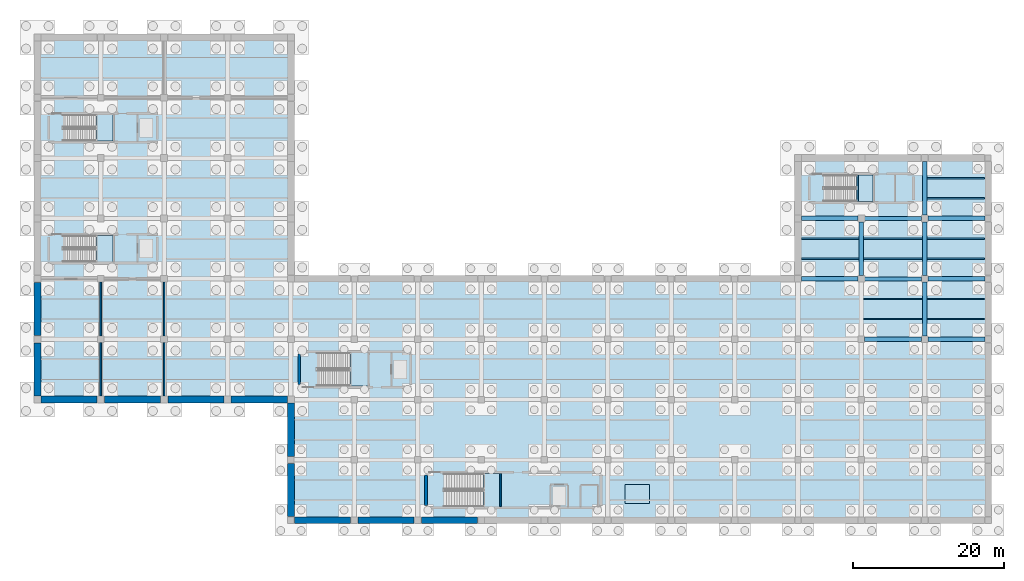
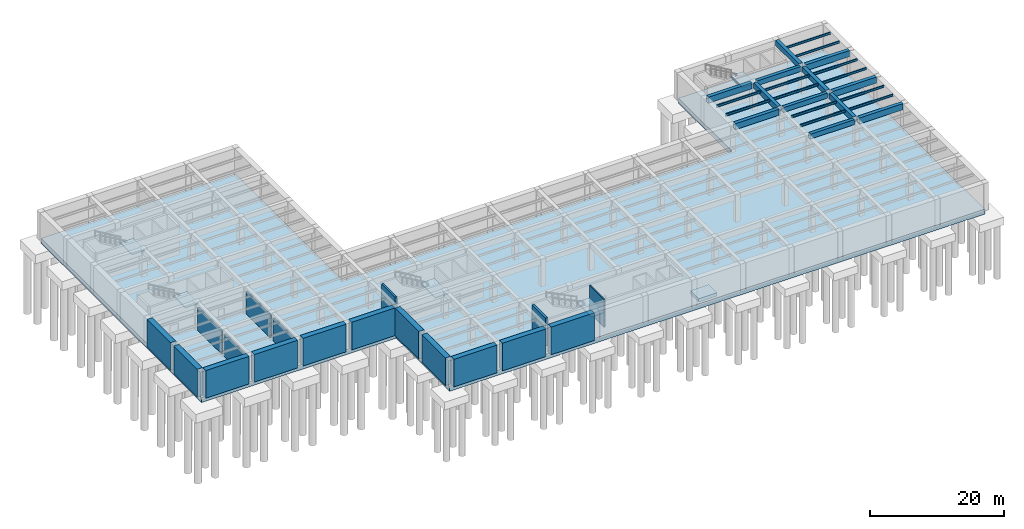
# One storey, part 5 of 12: 25 beams, 18 walls, 7 slabs, 5 elements without a shape of their own.
"""IFC4 building model written with IfcOpenShell, lengths in metres."""

from ifc_helpers import new_model, si_unit, direction, frame, frame_2d, origin, origin_2d, place, context, subcontext, project, spatial, polyline, rectangle, i_section, outline, extrude, material, layer, layer_set, material_profile, profile_set, type_object, element, aggregate, save


model = new_model("IFC4")

# Units and contexts
model_context = context("Model", 3, precision=1e-05, world=origin(), true_north=direction((0.0, 1.0)))
body_context = subcontext(model_context, "Body", "Model", "MODEL_VIEW")
ifc_project = project(units=[si_unit("LENGTHUNIT", "METRE"), si_unit("AREAUNIT", "SQUARE_METRE"), si_unit("VOLUMEUNIT", "CUBIC_METRE"), si_unit("PLANEANGLEUNIT", "RADIAN"), si_unit("MASSUNIT", "GRAM", prefix="KILO")], contexts=[model_context])

# Site, building, storey
site_placement = place(None, origin())
site = spatial("IfcSite", under=ifc_project, at=site_placement, CompositionType="ELEMENT")
building_placement = place(site_placement, origin())
building = spatial("IfcBuilding", under=site, at=building_placement, Name="Kranzveld Transit Interchange", CompositionType="ELEMENT")
storey_placement = place(building_placement, frame((0.0, 0.0, -10.8798828125)))
storey = spatial("IfcBuildingStorey", under=building, at=storey_placement, Name="B2", CompositionType="ELEMENT", Elevation=-10.8798828125)

# Beams
ifc_material_1 = material(Name="Steel S355JR", Category="steel")
ifc_material_profile_1 = material_profile(ifc_material_1, i_section(OverallWidth=0.1787109375, OverallDepth=0.409423828125, WebThickness=0.0087890625, FlangeThickness=0.014404296875, FilletRadius=0.01025390625, at=origin_2d()), Name="UB 406x178x67")
ifc_profile_set_1 = profile_set([ifc_material_profile_1], Name="Steel S355JR")
beam_type_1 = type_object("IfcBeamType", Name="Floor Joist UB 406x178x67 S355JR", PredefinedType="JOIST", material=ifc_profile_set_1)
for number, where, z_axis, x_axis, name in (
    (1, (101.251953125, 66.666748046875, 4.835205078125), (1.0, 0.0, 0.0), (0.0, 1.0, 0.0), "B2 Secondary Joist 13-14/J.1"),
    (2, (101.251953125, 69.333251953125, 4.835205078125), (1.0, 0.0, 0.0), (0.0, 1.0, 0.0), "B2 Secondary Joist 13-14/J.2"),
):
    element("IfcBeam", number, at=place(storey_placement, frame(where, z_axis=z_axis, x_axis=x_axis)), inside=storey, type_object=beam_type_1, Name=name, PredefinedType="JOIST", context=body_context, shape_type="SweptSolid", body=[
        extrude(i_section(OverallWidth=0.1787109375, OverallDepth=0.409423828125, WebThickness=0.0087890625, FlangeThickness=0.014404296875, FilletRadius=0.01025390625, at=origin_2d()), origin(), (0.0, 0.0, 1.0), 7.64599609375),
    ])
for number, where, z_axis, x_axis, name in (
    (3, (109.501953125, 58.666748046875, 4.835205078125), (1.0, 0.0, 0.0), (0.0, 1.0, 0.0), "B2 Secondary Joist 14-15/H.1"),
    (4, (109.501953125, 61.333251953125, 4.835205078125), (1.0, 0.0, 0.0), (0.0, 1.0, 0.0), "B2 Secondary Joist 14-15/H.2"),
    (5, (109.501953125, 66.666748046875, 4.835205078125), (1.0, 0.0, 0.0), (0.0, 1.0, 0.0), "B2 Secondary Joist 14-15/J.1"),
    (6, (109.501953125, 69.333251953125, 4.835205078125), (1.0, 0.0, 0.0), (0.0, 1.0, 0.0), "B2 Secondary Joist 14-15/J.2"),
):
    element("IfcBeam", number, at=place(storey_placement, frame(where, z_axis=z_axis, x_axis=x_axis)), inside=storey, type_object=beam_type_1, Name=name, PredefinedType="JOIST", context=body_context, shape_type="SweptSolid", body=[
        extrude(i_section(OverallWidth=0.1787109375, OverallDepth=0.409423828125, WebThickness=0.0087890625, FlangeThickness=0.014404296875, FilletRadius=0.01025390625, at=origin_2d()), origin(), (0.0, 0.0, 1.0), 7.796142578125),
    ])
for number, where, z_axis, x_axis, name in (
    (7, (117.902099609375, 58.666748046875, 4.835205078125), (1.0, 0.0, 0.0), (0.0, 1.0, 0.0), "B2 Secondary Joist 15-16/H.1"),
    (8, (117.902099609375, 61.333251953125, 4.835205078125), (1.0, 0.0, 0.0), (0.0, 1.0, 0.0), "B2 Secondary Joist 15-16/H.2"),
    (9, (117.902099609375, 66.666748046875, 4.835205078125), (1.0, 0.0, 0.0), (0.0, 1.0, 0.0), "B2 Secondary Joist 15-16/J.1"),
    (10, (117.902099609375, 69.333251953125, 4.835205078125), (1.0, 0.0, 0.0), (0.0, 1.0, 0.0), "B2 Secondary Joist 15-16/J.2"),
    (11, (117.902099609375, 74.666748046875, 4.835205078125), (1.0, 0.0, 0.0), (0.0, 1.0, 0.0), "B2 Secondary Joist 15-16/K.1"),
    (12, (117.902099609375, 77.333251953125, 4.835205078125), (1.0, 0.0, 0.0), (0.0, 1.0, 0.0), "B2 Secondary Joist 15-16/K.2"),
):
    element("IfcBeam", number, at=place(storey_placement, frame(where, z_axis=z_axis, x_axis=x_axis)), inside=storey, type_object=beam_type_1, Name=name, PredefinedType="JOIST", context=body_context, shape_type="SweptSolid", body=[
        extrude(i_section(OverallWidth=0.1787109375, OverallDepth=0.409423828125, WebThickness=0.0087890625, FlangeThickness=0.014404296875, FilletRadius=0.01025390625, at=origin_2d()), origin(), (0.0, 0.0, 1.0), 7.64599609375),
    ])
ifc_material_2 = material(Name="Concrete C40/50", Category="concrete")
ifc_material_profile_2 = material_profile(ifc_material_2, rectangle(XDim=0.550048828125, YDim=0.89990234375, at=origin_2d()), Name="RC 550x900")
ifc_profile_set_2 = profile_set([ifc_material_profile_2], Name="Concrete C40/50")
beam_type_2 = type_object("IfcBeamType", Name="Girder RC 550x900 C40/50", PredefinedType="BEAM", material=ifc_profile_set_2)
beam_1_placement = place(storey_placement, frame((109.614990234375, 56.0, 4.58984375), z_axis=(1.0, 0.0, 0.0), x_axis=(0.0, 1.0, 0.0)))
element("IfcBeam", 13, at=beam_1_placement, inside=storey, type_object=beam_type_2, Name="B2 Girder 14-15/H", PredefinedType="BEAM", context=body_context, shape_type="SweptSolid", body=[
    extrude(rectangle(XDim=0.550048828125, YDim=0.89990234375, at=origin_2d()), origin(), (0.0, 0.0, 1.0), 7.570068359375),
])
for number, where, z_axis, x_axis, name in (
    (14, (109.639892578125, 64.0, 4.58984375), (1.0, 0.0, 0.0), (0.0, 1.0, 0.0), "B2 Girder 14-15/J"),
    (15, (109.639892578125, 72.0, 4.58984375), (1.0, 0.0, 0.0), (0.0, 1.0, 0.0), "B2 Girder 14-15/K"),
):
    element("IfcBeam", number, at=place(storey_placement, frame(where, z_axis=z_axis, x_axis=x_axis)), inside=storey, type_object=beam_type_2, Name=name, PredefinedType="BEAM", context=body_context, shape_type="SweptSolid", body=[
        extrude(rectangle(XDim=0.550048828125, YDim=0.89990234375, at=origin_2d()), origin(), (0.0, 0.0, 1.0), 7.52001953125),
    ])
ifc_material_3 = material(Name="Concrete C40/50", Category="concrete")
ifc_material_profile_3 = material_profile(ifc_material_3, rectangle(XDim=0.60009765625, YDim=1.10009765625, at=origin_2d()), Name="RC 600x1100")
ifc_profile_set_3 = profile_set([ifc_material_profile_3], Name="Concrete C40/50")
beam_type_3 = type_object("IfcBeamType", Name="Girder RC 600x1100 C40/50", PredefinedType="BEAM", material=ifc_profile_set_3)
beam_2_placement = place(storey_placement, frame((118.014892578125, 56.0, 4.489990234375), z_axis=(1.0, 0.0, 0.0), x_axis=(0.0, 1.0, 0.0)))
element("IfcBeam", 16, at=beam_2_placement, inside=storey, type_object=beam_type_3, Name="B2 Girder 15-16/H", PredefinedType="BEAM", context=body_context, shape_type="SweptSolid", body=[
    extrude(rectangle(XDim=0.60009765625, YDim=1.10009765625, at=origin_2d()), origin(), (0.0, 0.0, 1.0), 7.570068359375),
])
beam_3_placement = place(storey_placement, frame((101.239990234375, 64.0, 4.489990234375), z_axis=(1.0, 0.0, 0.0), x_axis=(0.0, 1.0, 0.0)))
element("IfcBeam", 17, at=beam_3_placement, inside=storey, type_object=beam_type_3, Name="B2 Girder 13-14/J", PredefinedType="BEAM", context=body_context, shape_type="SweptSolid", body=[
    extrude(rectangle(XDim=0.60009765625, YDim=1.10009765625, at=origin_2d()), origin(), (0.0, 0.0, 1.0), 7.52001953125),
])
beam_4_placement = place(storey_placement, frame((118.0400390625, 64.0, 4.489990234375), z_axis=(1.0, 0.0, 0.0), x_axis=(0.0, 1.0, 0.0)))
element("IfcBeam", 18, at=beam_4_placement, inside=storey, type_object=beam_type_3, Name="B2 Girder 15-16/J", PredefinedType="BEAM", context=body_context, shape_type="SweptSolid", body=[
    extrude(rectangle(XDim=0.60009765625, YDim=1.10009765625, at=origin_2d()), origin(), (0.0, 0.0, 1.0), 7.570068359375),
])
beam_5_placement = place(storey_placement, frame((101.239990234375, 72.0, 4.489990234375), z_axis=(1.0, 0.0, 0.0), x_axis=(0.0, 1.0, 0.0)))
element("IfcBeam", 19, at=beam_5_placement, inside=storey, type_object=beam_type_3, Name="B2 Girder 13-14/K", PredefinedType="BEAM", context=body_context, shape_type="SweptSolid", body=[
    extrude(rectangle(XDim=0.60009765625, YDim=1.10009765625, at=origin_2d()), origin(), (0.0, 0.0, 1.0), 7.52001953125),
])
beam_6_placement = place(storey_placement, frame((118.0400390625, 72.0, 4.489990234375), z_axis=(1.0, 0.0, 0.0), x_axis=(0.0, 1.0, 0.0)))
element("IfcBeam", 20, at=beam_6_placement, inside=storey, type_object=beam_type_3, Name="B2 Girder 15-16/K", PredefinedType="BEAM", context=body_context, shape_type="SweptSolid", body=[
    extrude(rectangle(XDim=0.60009765625, YDim=1.10009765625, at=origin_2d()), origin(), (0.0, 0.0, 1.0), 7.570068359375),
])
ifc_material_4 = material(Name="Concrete C40/50", Category="concrete")
ifc_material_profile_4 = material_profile(ifc_material_4, rectangle(XDim=0.60009765625, YDim=0.949951171875, at=origin_2d()), Name="RC 600x950")
ifc_profile_set_4 = profile_set([ifc_material_profile_4], Name="Concrete C40/50")
beam_type_4 = type_object("IfcBeamType", Name="Girder RC 600x950 C40/50", PredefinedType="BEAM", material=ifc_profile_set_4)
beam_7_placement = place(storey_placement, frame((109.199951171875, 64.43994140625, 4.56494140625), z_axis=(0.0, 1.0, 0.0), x_axis=(-1.0, 0.0, 0.0)))
element("IfcBeam", 21, at=beam_7_placement, inside=storey, type_object=beam_type_4, Name="B2 Girder 14/J-K", PredefinedType="BEAM", context=body_context, shape_type="SweptSolid", body=[
    extrude(rectangle(XDim=0.60009765625, YDim=0.949951171875, at=origin_2d()), origin(), (0.0, 0.0, 1.0), 7.1201171875),
])
beam_8_placement = place(storey_placement, frame((117.60009765625, 56.4150390625, 4.56494140625), z_axis=(0.0, 1.0, 0.0), x_axis=(-1.0, 0.0, 0.0)))
element("IfcBeam", 22, at=beam_8_placement, inside=storey, type_object=beam_type_4, Name="B2 Girder 15/H-J", PredefinedType="BEAM", context=body_context, shape_type="SweptSolid", body=[
    extrude(rectangle(XDim=0.60009765625, YDim=0.949951171875, at=origin_2d()), origin(), (0.0, 0.0, 1.0), 7.14501953125),
])
for number, where, z_axis, x_axis, name in (
    (23, (117.60009765625, 64.43994140625, 4.56494140625), (0.0, 1.0, 0.0), (-1.0, 0.0, 0.0), "B2 Girder 15/J-K"),
    (24, (117.60009765625, 72.43994140625, 4.56494140625), (0.0, 1.0, 0.0), (-1.0, 0.0, 0.0), "B2 Girder 15/K-L"),
):
    element("IfcBeam", number, at=place(storey_placement, frame(where, z_axis=z_axis, x_axis=x_axis)), inside=storey, type_object=beam_type_4, Name=name, PredefinedType="BEAM", context=body_context, shape_type="SweptSolid", body=[
        extrude(rectangle(XDim=0.60009765625, YDim=0.949951171875, at=origin_2d()), origin(), (0.0, 0.0, 1.0), 7.1201171875),
    ])
ifc_material_5 = material(Name="Steel S355JR", Category="steel")
ifc_material_profile_5 = material_profile(ifc_material_5, i_section(OverallWidth=0.165771484375, OverallDepth=0.306640625, WebThickness=0.006591796875, FlangeThickness=0.01171875, FilletRadius=0.0087890625, at=origin_2d()), Name="UB 305x165x46")
ifc_profile_set_5 = profile_set([ifc_material_profile_5], Name="Steel S355JR")
beam_type_5 = type_object("IfcBeamType", Name="Roof Joist UB 305x165x46 S355JR", PredefinedType="JOIST", material=ifc_profile_set_5)
beam_9_placement = place(storey_placement, frame((108.7099609375, 74.22998046875, 2.36669921875), z_axis=(0.0, 1.0, 0.0), x_axis=(-1.0, 0.0, 0.0)))
element("IfcBeam", 25, at=beam_9_placement, inside=storey, type_object=beam_type_5, Name="B2 ST-V4A Half-Landing Support Beam", PredefinedType="BEAM", context=body_context, shape_type="SweptSolid", body=[
    extrude(i_section(OverallWidth=0.165771484375, OverallDepth=0.306640625, WebThickness=0.006591796875, FlangeThickness=0.01171875, FilletRadius=0.0087890625, at=origin_2d()), origin(), (0.0, 0.0, 1.0), 3.5400390625),
])

# Slabs
ifc_material_6 = material(Name="Concrete C40/50", Category="concrete")
ifc_layer_1 = layer(ifc_material_6, 0.60009765625)
ifc_layer_set_1 = layer_set([ifc_layer_1], Name="Concrete C40/50")
slab_type_1 = type_object("IfcSlabType", Name="Lift Pit Base Slab 600 C40/50", PredefinedType="BASESLAB", material=ifc_layer_set_1)
slab_1_placement = place(storey_placement, frame((0.0, 0.0, -1.5)))
element("IfcSlab", 26, at=slab_1_placement, inside=storey, type_object=slab_type_1, Name="B2 Pit Base Slab PIT-S3", PredefinedType="BASESLAB", context=body_context, shape_type="SweptSolid", body=[
    extrude(outline(polyline([(77.89990234375, 34.25), (81.10009765625, 34.25), (81.10009765625, 36.75), (77.89990234375, 36.75), (77.89990234375, 34.25)])), origin(), (0.0, 0.0, 1.0), 0.599853515625),
])
ifc_material_7 = material(Name="Concrete C40/50", Category="concrete")
ifc_layer_2 = layer(ifc_material_7, 0.89990234375)
ifc_layer_set_2 = layer_set([ifc_layer_2], Name="Concrete C40/50")
slab_type_2 = type_object("IfcSlabType", Name="Metro Base Raft 900 C40/50", PredefinedType="BASESLAB", material=ifc_layer_set_2)
slab_2_placement = place(storey_placement, frame((0.0, 0.0, -0.900146484375)))
element("IfcSlab", 27, at=slab_2_placement, inside=storey, type_object=slab_type_2, Name="B2 Metro Station Base Raft 1", PredefinedType="BASESLAB", context=body_context, shape_type="SweptSolid", body=[
    extrude(outline(polyline([(126.0, 32.0), (33.60009765625, 32.0), (33.60009765625, 48.0), (0.0, 48.0), (0.0, 96.0), (33.60009765625, 96.0), (33.60009765625, 64.0), (100.800048828125, 64.0), (100.800048828125, 80.0), (126.0, 80.0), (126.0, 64.0), (126.0, 32.0)])), origin(), (0.0, 0.0, 1.0), 0.900146484375),
])

# Stair, slab
ifc_material_8 = material(Name="Concrete C35/45", Category="concrete")
stair_type_1 = type_object("IfcStairType", Name="Dogleg Stair 1650W H5440 C35/45", PredefinedType="HALF_TURN_STAIR", material=ifc_material_8)
stair_1_placement = place(storey_placement, origin())
stair_1 = element("IfcStair", 28, at=stair_1_placement, inside=storey, type_object=stair_type_1, Name="B2 Operations Core C1", PredefinedType="HALF_TURN_STAIR")
ifc_material_9 = material(Name="Concrete C35/45", Category="concrete")
ifc_layer_3 = layer(ifc_material_9, 0.199951171875)
ifc_layer_set_3 = layer_set([ifc_layer_3], Name="Concrete C35/45")
slab_type_3 = type_object("IfcSlabType", Name="Stair & Ramp Landing 200 C35/45", PredefinedType="LANDING", material=ifc_layer_set_3)
slab_3_placement = place(storey_placement, frame((0.0, 0.0, 2.519775390625)))
slab_3 = element("IfcSlab", 29, at=slab_3_placement, type_object=slab_type_3, Name="ST-C1 landing 1", PredefinedType="LANDING", context=body_context, shape_type="SweptSolid", body=[
    extrude(outline(polyline([(7.75, 66.235107421875), (10.050048828125, 66.235107421875), (10.050048828125, 69.764892578125), (7.75, 69.764892578125), (7.75, 66.235107421875)])), origin(), (0.0, 0.0, 1.0), 0.2001953125),
])
aggregate(stair_1, [slab_3])

stair_2_placement = place(storey_placement, origin())
stair_2 = element("IfcStair", 30, at=stair_2_placement, inside=storey, type_object=stair_type_1, Name="B2 Operations Core C2", PredefinedType="HALF_TURN_STAIR")
slab_4_placement = place(storey_placement, frame((0.0, 0.0, 2.519775390625)))
slab_4 = element("IfcSlab", 31, at=slab_4_placement, type_object=slab_type_3, Name="ST-C2 landing 1", PredefinedType="LANDING", context=body_context, shape_type="SweptSolid", body=[
    extrude(outline(polyline([(7.75, 82.235107421875), (10.050048828125, 82.235107421875), (10.050048828125, 85.764892578125), (7.75, 85.764892578125), (7.75, 82.235107421875)])), origin(), (0.0, 0.0, 1.0), 0.2001953125),
])
aggregate(stair_2, [slab_4])

stair_3_placement = place(storey_placement, origin())
stair_3 = element("IfcStair", 32, at=stair_3_placement, inside=storey, type_object=stair_type_1, Name="B2 Community Core C3", PredefinedType="HALF_TURN_STAIR")
slab_5_placement = place(storey_placement, frame((0.0, 0.0, 2.519775390625)))
slab_5 = element("IfcSlab", 33, at=slab_5_placement, type_object=slab_type_3, Name="ST-V4A landing 1", PredefinedType="LANDING", context=body_context, shape_type="SweptSolid", body=[
    extrude(outline(polyline([(108.550048828125, 74.235107421875), (110.75, 74.235107421875), (110.75, 77.764892578125), (108.550048828125, 77.764892578125), (108.550048828125, 74.235107421875)])), origin(), (0.0, 0.0, 1.0), 0.2001953125),
])
aggregate(stair_3, [slab_5])

ifc_material_10 = material(Name="Concrete C35/45", Category="concrete")
stair_type_2 = type_object("IfcStairType", Name="Dogleg Stair 2100W H5440 C35/45", PredefinedType="HALF_TURN_STAIR", material=ifc_material_10)
stair_4_placement = place(storey_placement, origin())
stair_4 = element("IfcStair", 34, at=stair_4_placement, inside=storey, type_object=stair_type_2, Name="B2 Metro West Core C5", PredefinedType="HALF_TURN_STAIR")
slab_6_placement = place(storey_placement, frame((0.0, 0.0, 2.519775390625)))
slab_6 = element("IfcSlab", 35, at=slab_6_placement, type_object=slab_type_3, Name="ST-M1 landing 1", PredefinedType="LANDING", context=body_context, shape_type="SweptSolid", body=[
    extrude(outline(polyline([(41.39990234375, 49.784912109375), (43.800048828125, 49.784912109375), (43.800048828125, 54.215087890625), (41.39990234375, 54.215087890625), (41.39990234375, 49.784912109375)])), origin(), (0.0, 0.0, 1.0), 0.2001953125),
])
aggregate(stair_4, [slab_6])

stair_5_placement = place(storey_placement, origin())
stair_5 = element("IfcStair", 36, at=stair_5_placement, inside=storey, type_object=stair_type_2, Name="B2 Metro East & Bus Mezzanine Core C6", PredefinedType="HALF_TURN_STAIR")
slab_7_placement = place(storey_placement, frame((0.0, 0.0, 2.519775390625)))
slab_7 = element("IfcSlab", 37, at=slab_7_placement, type_object=slab_type_3, Name="ST-M2 landing 1", PredefinedType="LANDING", context=body_context, shape_type="SweptSolid", body=[
    extrude(outline(polyline([(59.10009765625, 33.784912109375), (61.300048828125, 33.784912109375), (61.300048828125, 38.215087890625), (59.10009765625, 38.215087890625), (59.10009765625, 33.784912109375)])), origin(), (0.0, 0.0, 1.0), 0.2001953125),
])
aggregate(stair_5, [slab_7])

# Walls
ifc_material_11 = material(Name="Concrete C40/50", Category="concrete")
ifc_layer_4 = layer(ifc_material_11, 0.35009765625)
ifc_layer_set_4 = layer_set([ifc_layer_4], Name="Concrete C40/50")
wall_type_1 = type_object("IfcWallType", Name="Core Shear Wall RC 350 C40/50", PredefinedType="SHEAR", material=ifc_layer_set_4)
for number, where, z_axis, x_axis, name in (
    (38, (34.699951171875, 49.989990234375, 0.0), (0.0, 0.0, 1.0), (0.0, 1.0, 0.0), "B2 Metro West Core C5 Shear Wall W"),
    (39, (51.5, 33.989990234375, 0.0), (0.0, 0.0, 1.0), (0.0, 1.0, 0.0), "B2 Metro East & Bus Mezzanine Core C6 Shear Wall W"),
):
    element("IfcWall", number, at=place(storey_placement, frame(where, z_axis=z_axis, x_axis=x_axis)), inside=storey, type_object=wall_type_1, Name=name, PredefinedType="SHEAR", context=body_context, shape_type="SweptSolid", body=[
        extrude(rectangle(XDim=4.02001953125, YDim=0.35009765625, at=frame_2d((2.010009765625, 0.0))), origin(), (0.0, 0.0, 1.0), 5.039794921875),
    ])
ifc_material_12 = material(Name="Concrete C40/50", Category="concrete")
ifc_layer_5 = layer(ifc_material_12, 0.89990234375)
ifc_layer_set_5 = layer_set([ifc_layer_5], Name="Concrete C40/50")
wall_type_2 = type_object("IfcWallType", Name="Diaphragm Wall RC 900 C40/50", PredefinedType="SHEAR", material=ifc_layer_set_5)
for number, where, z_axis, x_axis, name in (
    (40, (34.080078125, 32.0, 0.0), (0.0, 0.0, 1.0), (1.0, 0.0, 0.0), "B2 Perimeter Retaining Wall 1"),
    (41, (42.47998046875, 32.0, 0.0), (0.0, 0.0, 1.0), (1.0, 0.0, 0.0), "B2 Perimeter Retaining Wall 2"),
):
    element("IfcWall", number, at=place(storey_placement, frame(where, z_axis=z_axis, x_axis=x_axis)), inside=storey, type_object=wall_type_2, Name=name, PredefinedType="SHEAR", context=body_context, shape_type="SweptSolid", body=[
        extrude(rectangle(XDim=7.43994140625, YDim=0.89990234375, at=frame_2d((3.719970703125, 0.0))), origin(), (0.0, 0.0, 1.0), 5.039794921875),
    ])
wall_1_placement = place(storey_placement, frame((50.8798828125, 32.0, 0.0), z_axis=(0.0, 0.0, 1.0), x_axis=(1.0, 0.0, 0.0)))
element("IfcWall", 42, at=wall_1_placement, inside=storey, type_object=wall_type_2, Name="B2 Perimeter Retaining Wall 3", PredefinedType="SHEAR", context=body_context, shape_type="SweptSolid", body=[
    extrude(rectangle(XDim=7.440185546875, YDim=0.89990234375, at=frame_2d((3.72021484375, 0.0))), origin(), (0.0, 0.0, 1.0), 5.039794921875),
])
for number, where, z_axis, x_axis, name in (
    (43, (33.60009765625, 32.47998046875, 0.0), (0.0, 0.0, 1.0), (0.0, 1.0, 0.0), "B2 Perimeter Retaining Wall 12"),
    (44, (33.60009765625, 40.47998046875, 0.0), (0.0, 0.0, 1.0), (0.0, 1.0, 0.0), "B2 Perimeter Retaining Wall 13"),
):
    element("IfcWall", number, at=place(storey_placement, frame(where, z_axis=z_axis, x_axis=x_axis)), inside=storey, type_object=wall_type_2, Name=name, PredefinedType="SHEAR", context=body_context, shape_type="SweptSolid", body=[
        extrude(rectangle(XDim=7.0400390625, YDim=0.89990234375, at=frame_2d((3.52001953125, 0.0))), origin(), (0.0, 0.0, 1.0), 5.039794921875),
    ])
wall_2_placement = place(storey_placement, frame((0.47998046875, 48.0, 0.0), z_axis=(0.0, 0.0, 1.0), x_axis=(1.0, 0.0, 0.0)))
element("IfcWall", 45, at=wall_2_placement, inside=storey, type_object=wall_type_2, Name="B2 Perimeter Retaining Wall 14", PredefinedType="SHEAR", context=body_context, shape_type="SweptSolid", body=[
    extrude(rectangle(XDim=7.43994140625, YDim=0.89990234375, at=frame_2d((3.719970703125, 0.0))), origin(), (0.0, 0.0, 1.0), 5.039794921875),
])
wall_3_placement = place(storey_placement, frame((8.8798828125, 48.0, 0.0), z_axis=(0.0, 0.0, 1.0), x_axis=(1.0, 0.0, 0.0)))
element("IfcWall", 46, at=wall_3_placement, inside=storey, type_object=wall_type_2, Name="B2 Perimeter Retaining Wall 15", PredefinedType="SHEAR", context=body_context, shape_type="SweptSolid", body=[
    extrude(rectangle(XDim=7.440185546875, YDim=0.89990234375, at=frame_2d((3.72021484375, 0.0))), origin(), (0.0, 0.0, 1.0), 5.039794921875),
])
wall_4_placement = place(storey_placement, frame((17.280029296875, 48.0, 0.0), z_axis=(0.0, 0.0, 1.0), x_axis=(1.0, 0.0, 0.0)))
element("IfcWall", 47, at=wall_4_placement, inside=storey, type_object=wall_type_2, Name="B2 Perimeter Retaining Wall 16", PredefinedType="SHEAR", context=body_context, shape_type="SweptSolid", body=[
    extrude(rectangle(XDim=7.43994140625, YDim=0.89990234375, at=frame_2d((3.719970703125, 0.0))), origin(), (0.0, 0.0, 1.0), 5.039794921875),
])
wall_5_placement = place(storey_placement, frame((25.679931640625, 48.0, 0.0), z_axis=(0.0, 0.0, 1.0), x_axis=(1.0, 0.0, 0.0)))
element("IfcWall", 48, at=wall_5_placement, inside=storey, type_object=wall_type_2, Name="B2 Perimeter Retaining Wall 17", PredefinedType="SHEAR", context=body_context, shape_type="SweptSolid", body=[
    extrude(rectangle(XDim=7.440185546875, YDim=0.89990234375, at=frame_2d((3.72021484375, 0.0))), origin(), (0.0, 0.0, 1.0), 5.039794921875),
])
for number, where, z_axis, x_axis, name in (
    (49, (0.0, 48.47998046875, 0.0), (0.0, 0.0, 1.0), (0.0, 1.0, 0.0), "B2 Perimeter Retaining Wall 18"),
    (50, (0.0, 56.47998046875, 0.0), (0.0, 0.0, 1.0), (0.0, 1.0, 0.0), "B2 Perimeter Retaining Wall 19"),
):
    element("IfcWall", number, at=place(storey_placement, frame(where, z_axis=z_axis, x_axis=x_axis)), inside=storey, type_object=wall_type_2, Name=name, PredefinedType="SHEAR", context=body_context, shape_type="SweptSolid", body=[
        extrude(rectangle(XDim=7.0400390625, YDim=0.89990234375, at=frame_2d((3.52001953125, 0.0))), origin(), (0.0, 0.0, 1.0), 5.039794921875),
    ])
ifc_material_13 = material(Name="Clay masonry unit wall, 20 MPa", Category="masonry")
ifc_layer_6 = layer(ifc_material_13, 0.22998046875)
ifc_layer_set_6 = layer_set([ifc_layer_6], Name="Clay masonry unit wall, 20 MPa")
wall_type_3 = type_object("IfcWallType", Name="Fire Compartment Wall Masonry 230 EI120", PredefinedType="PARTITIONING", material=ifc_layer_set_6)
for number, where, z_axis, x_axis, name in (
    (51, (8.39990234375, 48.43994140625, 0.0), (0.0, 0.0, 1.0), (0.0, 1.0, 0.0), "B2 Partition IW-B2-B2W-E-B207-0"),
    (52, (8.39990234375, 56.43994140625, 0.0), (0.0, 0.0, 1.0), (0.0, 1.0, 0.0), "B2 Partition IW-B2-B2W-E-B207-1"),
    (53, (16.800048828125, 48.43994140625, 0.0), (0.0, 0.0, 1.0), (0.0, 1.0, 0.0), "B2 Partition IW-B2-B2W-E-B208-0"),
    (54, (16.800048828125, 56.43994140625, 0.0), (0.0, 0.0, 1.0), (0.0, 1.0, 0.0), "B2 Partition IW-B2-B2W-E-B208-1"),
):
    element("IfcWall", number, at=place(storey_placement, frame(where, z_axis=z_axis, x_axis=x_axis)), inside=storey, type_object=wall_type_3, Name=name, PredefinedType="PARTITIONING", context=body_context, shape_type="SweptSolid", body=[
        extrude(rectangle(XDim=7.1201171875, YDim=0.22998046875, at=frame_2d((3.56005859375, 0.0))), origin(), (0.0, 0.0, 1.0), 4.08984375),
    ])
ifc_material_14 = material(Name="Concrete C40/50", Category="concrete")
ifc_layer_7 = layer(ifc_material_14, 0.199951171875)
ifc_layer_set_7 = layer_set([ifc_layer_7], Name="Concrete C40/50")
wall_type_4 = type_object("IfcWallType", Name="Lift Shaft Enclosure Wall RC 200 EI120", PredefinedType="SHEAR", material=ifc_layer_set_7)
wall_6_placement = place(storey_placement, frame((61.39990234375, 33.81494140625, 0.0), z_axis=(0.0, 0.0, 1.0), x_axis=(0.0, 1.0, 0.0)))
element("IfcWall", 55, at=wall_6_placement, inside=storey, type_object=wall_type_4, Name="B2 Metro East & Bus Mezzanine Core C6 Stair-Lobby Dividing Wall", PredefinedType="SHEAR", context=body_context, shape_type="SweptSolid", body=[
    extrude(rectangle(XDim=4.3701171875, YDim=0.199951171875, at=frame_2d((2.18505859375, 0.0))), origin(), (0.0, 0.0, 1.0), 5.039794921875),
])

save(model, "model.ifc")
